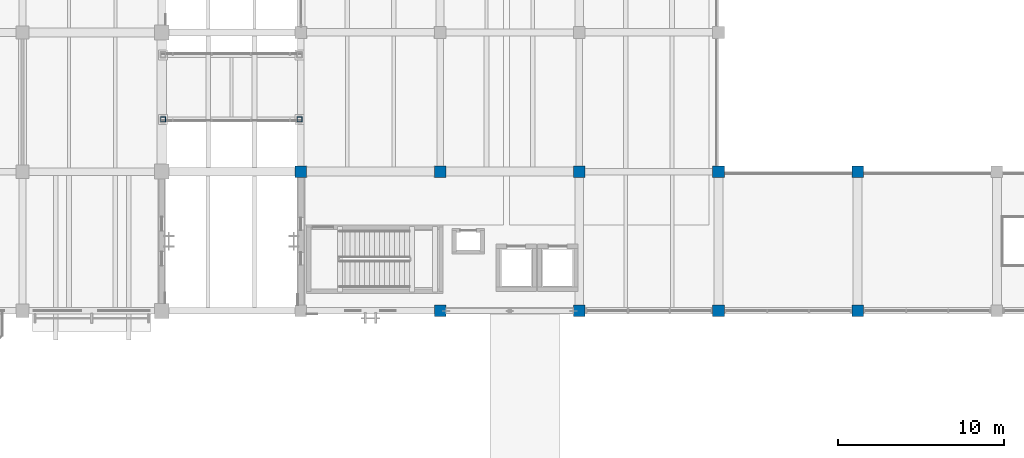
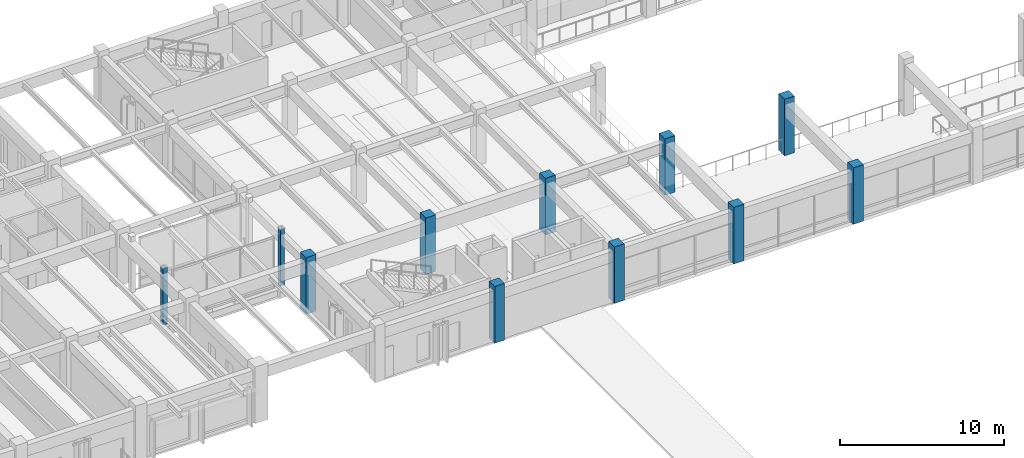
# One storey, part 4 of 132: 11 columns.
"""IFC4 building model written with IfcOpenShell, lengths in metres."""

import ifcopenshell
import ifcopenshell.guid

model = None  # the IFC model being written
_history = None  # IfcOwnerHistory: only IFC2X3 demands one
_inside = {}  # id of a spatial element -> (the spatial element, [elements in it])
_under = {}  # id of a project, library or spatial element -> (it, [spatial elements below it])
_declared = {}  # id of a project -> (the project, [libraries it declares])
_typed = {}  # id of a type object -> (the type object, [elements of that type])
_made_of = {}  # id of a material, layer set ... -> (it, [elements and type objects made of it])


def new_model(schema):
    """Start an empty IFC model of exactly this schema.

    Asked for "IFC4X3", IfcOpenShell would pick the latest addendum, in which some entities
    have other attributes; the version numbers below select the first issue.
    IFC2X3 requires an IfcOwnerHistory on every rooted entity: one is made here for all.
    """
    global model, _history
    if schema == "IFC4X3":
        model = ifcopenshell.file(schema_version=(4, 3, 0, 0))
    else:
        model = ifcopenshell.file(schema=schema)
    _inside.clear()
    _under.clear()
    _declared.clear()
    _typed.clear()
    _made_of.clear()
    _history = None
    if model.schema == "IFC2X3":
        org = make("IfcOrganization", Name="unknown")
        user = make(
            "IfcPersonAndOrganization",
            ThePerson=make("IfcPerson", FamilyName="unknown"),
            TheOrganization=org,
        )
        app = make(
            "IfcApplication",
            ApplicationDeveloper=org,
            Version="unknown",
            ApplicationFullName="unknown",
            ApplicationIdentifier="unknown",
        )
        _history = make(
            "IfcOwnerHistory",
            OwningUser=user,
            OwningApplication=app,
            ChangeAction="ADDED",
            CreationDate=0,
        )
    return model


def make(cls, **values):
    """One entity of the class cls with the attributes given. An attribute that is None is left unset."""
    return model.create_entity(
        cls, **{name: value for name, value in values.items() if value is not None}
    )


def rooted(cls, **values):
    """An entity with a GlobalId (a new one), such as an element, a storey or a relation."""
    return make(cls, GlobalId=ifcopenshell.guid.new(), OwnerHistory=_history, **values)


def si_unit(unit_type, name, prefix=None):
    """IfcSIUnit, for example si_unit("LENGTHUNIT", "METRE", prefix="MILLI")."""
    return make("IfcSIUnit", UnitType=unit_type, Prefix=prefix, Name=name)


def assignment(units):
    """IfcUnitAssignment: the units of a project."""
    return None if units is None else make("IfcUnitAssignment", Units=units)


def point(xyz):
    """IfcCartesianPoint."""
    return None if xyz is None else make("IfcCartesianPoint", Coordinates=xyz)


def direction(xyz):
    """IfcDirection."""
    return None if xyz is None else make("IfcDirection", DirectionRatios=xyz)


def frame(location, z_axis=None, x_axis=None):
    """IfcAxis2Placement3D, a coordinate frame: its origin and axes. An axis left out is left unset."""
    return make(
        "IfcAxis2Placement3D",
        Location=point(location),
        Axis=direction(z_axis),
        RefDirection=direction(x_axis),
    )


def frame_2d(location, x_axis=None):
    """IfcAxis2Placement2D, a coordinate frame in the plane: its origin and x axis."""
    return make(
        "IfcAxis2Placement2D", Location=point(location), RefDirection=direction(x_axis)
    )


def origin():
    """The frame at (0, 0, 0) with its axes left unset."""
    return frame((0.0, 0.0, 0.0))


def origin_2d():
    """The frame at (0, 0) in the plane with its x axis left unset."""
    return frame_2d((0.0, 0.0))


def place(relative_to, where):
    """IfcLocalPlacement: puts the frame where relative to a parent placement (None: the world)."""
    return make(
        "IfcLocalPlacement", PlacementRelTo=relative_to, RelativePlacement=where
    )


def context(
    kind, dimensions, precision=None, world=None, true_north=None, identifier=None
):
    """IfcGeometricRepresentationContext, for example the 3D "Model" context."""
    return make(
        "IfcGeometricRepresentationContext",
        ContextIdentifier=identifier,
        ContextType=kind,
        CoordinateSpaceDimension=dimensions,
        Precision=precision,
        WorldCoordinateSystem=world,
        TrueNorth=true_north,
    )


def subcontext(parent, identifier, kind, view, scale=None):
    """IfcGeometricRepresentationSubContext, for example "Body" below "Model"."""
    return make(
        "IfcGeometricRepresentationSubContext",
        ContextIdentifier=identifier,
        ContextType=kind,
        ParentContext=parent,
        TargetScale=scale,
        TargetView=view,
    )


def project(units=None, contexts=None):
    """IfcProject with its units and contexts."""
    return rooted(
        "IfcProject",
        Name="project",
        RepresentationContexts=contexts,
        UnitsInContext=assignment(units),
    )


def spatial(cls, under=None, at=None, **own):
    """A site, building, storey or space (cls), placed at a placement, below another one or the project."""
    s = rooted(cls, ObjectPlacement=at, **own)
    if under is not None:
        _under.setdefault(under.id(), (under, []))[1].append(s)
    return s


def profile(cls, at=None, kind="AREA", **sizes):
    """A parametric profile (cls). Its sizes go by their IFC names, for example OverallWidth=200.0."""
    return make(cls, ProfileType=kind, Position=at, **sizes)


def rectangle(**sizes):
    """IfcRectangleProfileDef."""
    return profile("IfcRectangleProfileDef", **sizes)


def hollow_rectangle(**sizes):
    """IfcRectangleHollowProfileDef."""
    return profile("IfcRectangleHollowProfileDef", **sizes)


def extrude(swept, where, along, depth):
    """IfcExtrudedAreaSolid: the profile swept, set in the frame where, extruded along a direction by depth."""
    return make(
        "IfcExtrudedAreaSolid",
        SweptArea=swept,
        Position=where,
        ExtrudedDirection=direction(along),
        Depth=depth,
    )


def shape(context_of_items, identifier, shape_type, items):
    """IfcShapeRepresentation: the items that make up one representation, for example the "Body"."""
    return make(
        "IfcShapeRepresentation",
        ContextOfItems=context_of_items,
        RepresentationIdentifier=identifier,
        RepresentationType=shape_type,
        Items=items,
    )


def material(Name=None, Category=None):
    """IfcMaterial."""
    return make("IfcMaterial", Name=Name, Category=Category)


def material_profile(
    of_material, cross_section, Name=None, Category=None, Priority=None
):
    """IfcMaterialProfile: a cross section and its material."""
    return make(
        "IfcMaterialProfile",
        Name=Name,
        Material=of_material,
        Profile=cross_section,
        Priority=Priority,
        Category=Category,
    )


def profile_set(profiles, Name=None, composite=None):
    """IfcMaterialProfileSet."""
    return make(
        "IfcMaterialProfileSet",
        Name=Name,
        MaterialProfiles=profiles,
        CompositeProfile=composite,
    )


def made_of(thing, what):
    """Note that an element or type object is made of a material, layer set ...; save() writes the relation."""
    if what is not None:
        _made_of.setdefault(what.id(), (what, []))[1].append(thing)
    return thing


def type_object(cls, material=None, **own):
    """A type object (cls), such as IfcWallType, which elements share."""
    return made_of(rooted(cls, **own), material)


def element(
    cls,
    number,
    at=None,
    inside=None,
    cuts=None,
    type_object=None,
    material=None,
    context=None,
    identifier="Body",
    shape_type=None,
    held_by="IfcProductDefinitionShape",
    body=None,
    shapes=None,
    **own,
):
    """One element of the class cls, such as IfcWall. Its Tag is "e" and its number.

    at: its placement. inside: the storey or other place that contains it. cuts: it is an
    opening in that element (IfcRelVoidsElement). A single representation is given by context,
    identifier, shape_type and body (its items); several are given by shapes. held_by: the class
    of the entity that holds the representations. save() writes the other relations.
    """
    e = rooted(cls, Tag="e%d" % number, ObjectPlacement=at, **own)
    if body is not None:
        shapes = [shape(context, identifier, shape_type, body)]
    if shapes is not None:
        e.Representation = make(held_by, Representations=shapes)
    if inside is not None:
        _inside.setdefault(inside.id(), (inside, []))[1].append(e)
    if cuts is not None:
        rooted(
            "IfcRelVoidsElement", RelatingBuildingElement=cuts, RelatedOpeningElement=e
        )
    if type_object is not None:
        _typed.setdefault(type_object.id(), (type_object, []))[1].append(e)
    return made_of(e, material)


def aggregate(whole, parts):
    """IfcRelAggregates: a whole, such as a stair, and the parts it consists of."""
    return rooted("IfcRelAggregates", RelatingObject=whole, RelatedObjects=parts)


def save(model, path):
    """Write the relations noted so far, then the file.

    IfcRelAggregates (storeys below a building ...), IfcRelContainedInSpatialStructure (elements
    in a storey), IfcRelDefinesByType, IfcRelAssociatesMaterial and IfcRelDeclares: one each for
    every whole, place, type object, material and project.
    """
    for whole, parts in _under.values():
        aggregate(whole, parts)
    for where, things in _inside.values():
        rooted(
            "IfcRelContainedInSpatialStructure",
            RelatedElements=things,
            RelatingStructure=where,
        )
    for kind, things in _typed.values():
        rooted("IfcRelDefinesByType", RelatedObjects=things, RelatingType=kind)
    for what, things in _made_of.values():
        rooted("IfcRelAssociatesMaterial", RelatedObjects=things, RelatingMaterial=what)
    for by, libraries in _declared.values():
        rooted("IfcRelDeclares", RelatingContext=by, RelatedDefinitions=libraries)
    model.write(path)


model = new_model("IFC4")

# Units and contexts
model_context = context("Model", 3, precision=1e-05, world=origin(), true_north=direction((0.0, 1.0)))
body_context = subcontext(model_context, "Body", "Model", "MODEL_VIEW")
ifc_project = project(units=[si_unit("LENGTHUNIT", "METRE"), si_unit("AREAUNIT", "SQUARE_METRE"), si_unit("VOLUMEUNIT", "CUBIC_METRE"), si_unit("PLANEANGLEUNIT", "RADIAN"), si_unit("MASSUNIT", "GRAM", prefix="KILO")], contexts=[model_context])

# Site, building, storey
site_placement = place(None, origin())
site = spatial("IfcSite", under=ifc_project, at=site_placement, CompositionType="ELEMENT")
building_placement = place(site_placement, origin())
building = spatial("IfcBuilding", under=site, at=building_placement, Name="Cumbredor Promenade Congress Hotel", CompositionType="ELEMENT")
storey_placement = place(building_placement, frame((0.0, 0.0, 7.56005859375)))
storey = spatial("IfcBuildingStorey", under=building, at=storey_placement, Name="L02", CompositionType="ELEMENT", Elevation=7.56005859375)

# Columns
ifc_material_1 = material(Name="Concrete C40/50", Category="concrete")
ifc_material_profile_1 = material_profile(ifc_material_1, rectangle(XDim=0.699951171875, YDim=0.699951171875, at=origin_2d()), Name="RC 700x700")
ifc_profile_set_1 = profile_set([ifc_material_profile_1], Name="Concrete C40/50")
column_type_1 = type_object("IfcColumnType", Name="COL-RC-700", PredefinedType="COLUMN", material=ifc_profile_set_1)
for number, where, z_axis, x_axis, name in (
    (1, (92.39990234375, 92.39990234375, 0.0), (0.0, 0.0, 1.0), (1.0, 0.0, 0.0), "L02 Structural Column 102"),
    (2, (100.800048828125, 84.0, 0.0), (0.0, 0.0, 1.0), (1.0, 0.0, 0.0), "L02 Structural Column 106"),
    (3, (100.800048828125, 92.39990234375, 0.0), (0.0, 0.0, 1.0), (1.0, 0.0, 0.0), "L02 Structural Column 107"),
    (4, (109.199951171875, 84.0, 0.0), (0.0, 0.0, 1.0), (1.0, 0.0, 0.0), "L02 Structural Column 111"),
    (5, (109.199951171875, 92.39990234375, 0.0), (0.0, 0.0, 1.0), (1.0, 0.0, 0.0), "L02 Structural Column 112"),
    (6, (117.60009765625, 84.0, 0.0), (0.0, 0.0, 1.0), (1.0, 0.0, 0.0), "L02 Structural Column 116"),
    (7, (117.60009765625, 92.39990234375, 0.0), (0.0, 0.0, 1.0), (1.0, 0.0, 0.0), "L02 Structural Column 117"),
    (8, (126.0, 84.0, 0.0), (0.0, 0.0, 1.0), (1.0, 0.0, 0.0), "L02 Structural Column 121"),
    (9, (126.0, 92.39990234375, 0.0), (0.0, 0.0, 1.0), (1.0, 0.0, 0.0), "L02 Structural Column 122"),
):
    element("IfcColumn", number, at=place(storey_placement, frame(where, z_axis=z_axis, x_axis=x_axis)), inside=storey, type_object=column_type_1, Name=name, PredefinedType="COLUMN", context=body_context, shape_type="SweptSolid", body=[
        extrude(rectangle(XDim=0.699951171875, YDim=0.699951171875, at=origin_2d()), origin(), (0.0, 0.0, 1.0), 4.199951171875),
    ])
ifc_material_2 = material(Name="Steel ASTM A500 Grade C", Category="steel")
ifc_material_profile_2 = material_profile(ifc_material_2, hollow_rectangle(XDim=0.300048828125, YDim=0.300048828125, WallThickness=0.01611328125, at=origin_2d()), Name="HSS 300x300x16")
ifc_profile_set_2 = profile_set([ifc_material_profile_2], Name="Steel ASTM A500 Grade C")
column_type_2 = type_object("IfcColumnType", Name="COL-STL-HSS300", PredefinedType="COLUMN", material=ifc_profile_set_2)
for number, where, z_axis, x_axis, name in (
    (10, (84.080078125, 95.550048828125, 0.0), (0.0, 0.0, 1.0), (1.0, 0.0, 0.0), "L02 North Hotel-to-Forum Glazed Bridge Support Column 1"),
    (11, (92.320068359375, 95.550048828125, 0.0), (0.0, 0.0, 1.0), (1.0, 0.0, 0.0), "L02 North Hotel-to-Forum Glazed Bridge Support Column 3"),
):
    element("IfcColumn", number, at=place(storey_placement, frame(where, z_axis=z_axis, x_axis=x_axis)), inside=storey, type_object=column_type_2, Name=name, PredefinedType="COLUMN", context=body_context, shape_type="SweptSolid", body=[
        extrude(hollow_rectangle(XDim=0.300048828125, YDim=0.300048828125, WallThickness=0.01611328125, at=origin_2d()), origin(), (0.0, 0.0, 1.0), 4.199951171875),
    ])

save(model, "model.ifc")
